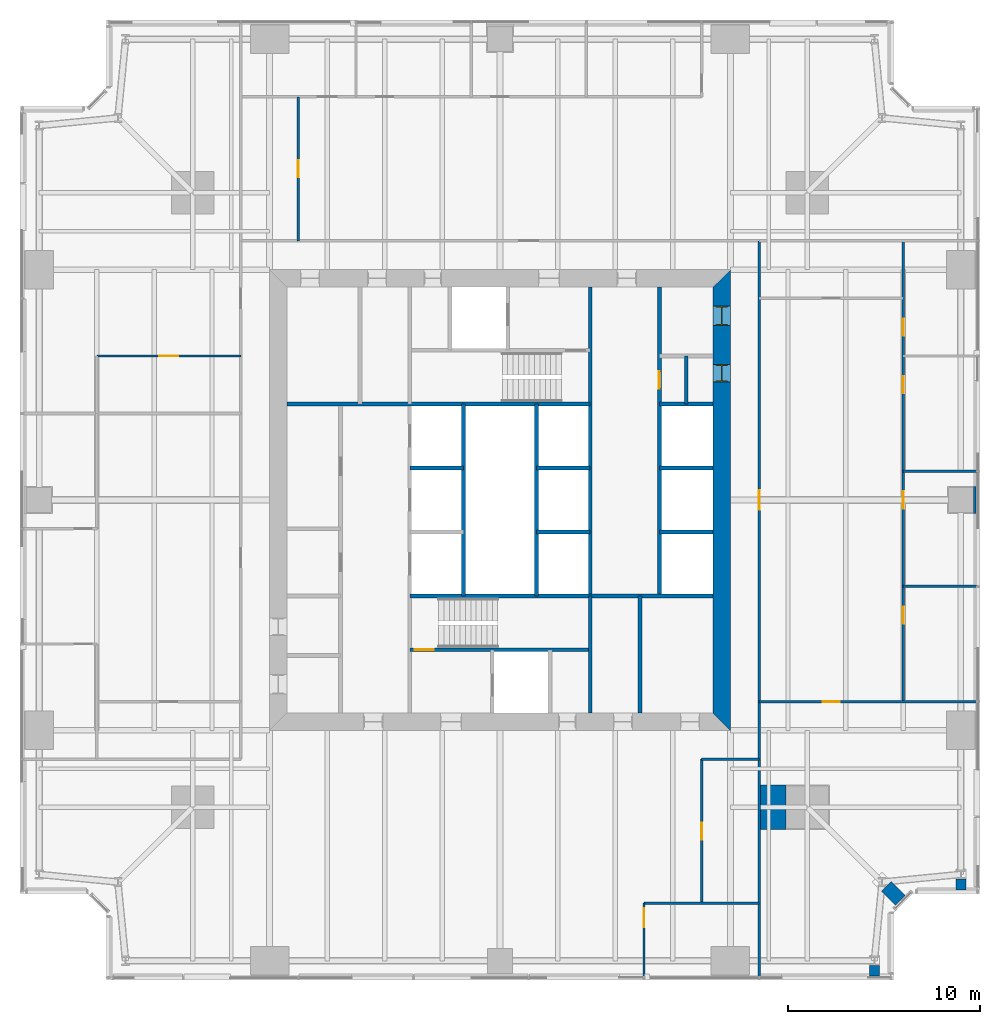
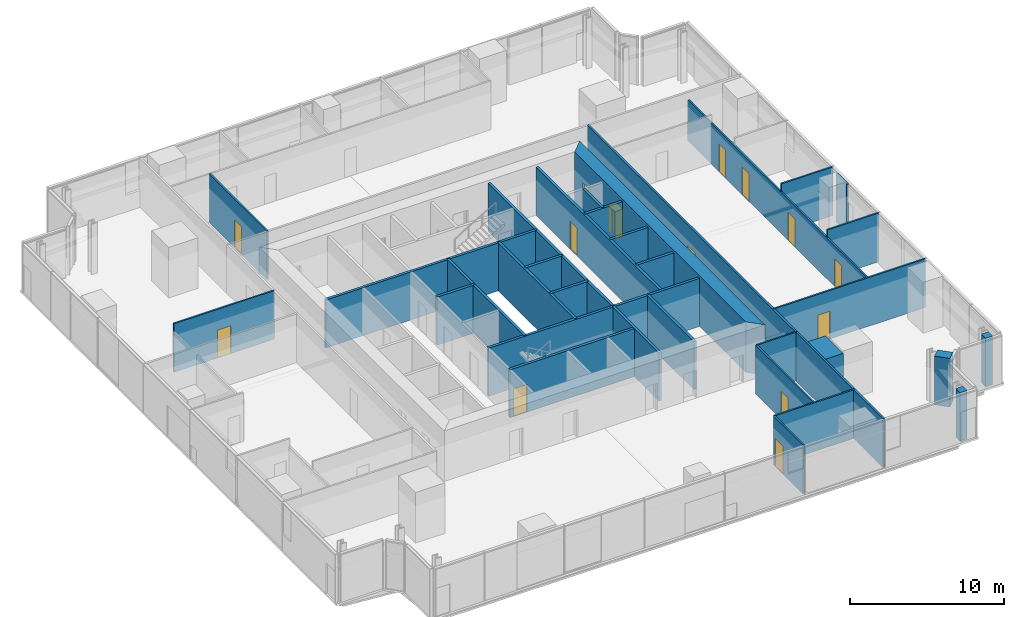
# One storey, part 10 of 13: 34 walls, 14 doors, 14 openings.
"""IFC4 building model written with IfcOpenShell, lengths in metres."""

from ifc_helpers import new_model, si_unit, direction, frame, frame_2d, origin, place, context, subcontext, project, spatial, polyline, rectangle, outline, extrude, material, layer, layer_set, type_object, element, fill, save


model = new_model("IFC4")

# Units and contexts
model_context = context("Model", 3, precision=1e-05, world=origin(), true_north=direction((0.0, 1.0)))
body_context = subcontext(model_context, "Body", "Model", "MODEL_VIEW")
ifc_project = project(units=[si_unit("LENGTHUNIT", "METRE"), si_unit("AREAUNIT", "SQUARE_METRE"), si_unit("VOLUMEUNIT", "CUBIC_METRE"), si_unit("PLANEANGLEUNIT", "RADIAN"), si_unit("MASSUNIT", "GRAM", prefix="KILO")], contexts=[model_context])

# Site, building, storey
site_placement = place(None, origin())
site = spatial("IfcSite", under=ifc_project, at=site_placement, CompositionType="ELEMENT")
building_placement = place(site_placement, origin())
building = spatial("IfcBuilding", under=site, at=building_placement, Name="Fenwick Lantern Interchange", CompositionType="ELEMENT")
storey_placement = place(building_placement, frame((0.0, 0.0, 138.39990234375)))
storey = spatial("IfcBuildingStorey", under=building, at=storey_placement, Name="L32", CompositionType="ELEMENT", Elevation=138.39990234375)

# Walls
ifc_material_1 = material(Name="Fire-rated gypsum board encasement on steel studs, 2 hour", Category="steel")
ifc_layer_1 = layer(ifc_material_1, 1.39990234375)
ifc_layer_set_1 = layer_set([ifc_layer_1], Name="COLUMN PIER 1400")
wall_type_1 = type_object("IfcWallType", Name="COLUMN PIER 1400", PredefinedType="PARTITIONING", material=ifc_layer_set_1)
wall_1_placement = place(storey_placement, frame((49.800048828125, 25.0, 0.0), z_axis=(0.0, 0.0, 1.0), x_axis=(-1.0, 0.0, 0.0)))
element("IfcWall", 1, at=wall_1_placement, inside=storey, type_object=wall_type_1, Name="L32/W/PIER/CE3", PredefinedType="PARTITIONING", context=body_context, shape_type="SweptSolid", body=[
    extrude(rectangle(XDim=0.150146484375, YDim=1.39990234375, at=frame_2d((0.0751953125, 0.0))), origin(), (0.0, 0.0, 1.0), 3.85009765625),
])
ifc_layer_2 = layer(ifc_material_1, 2.300048828125)
ifc_layer_set_2 = layer_set([ifc_layer_2], Name="COLUMN PIER 2300")
wall_type_2 = type_object("IfcWallType", Name="COLUMN PIER 2300", PredefinedType="PARTITIONING", material=ifc_layer_set_2)
wall_2_placement = place(storey_placement, frame((38.574951171875, 9.0, 0.0), z_axis=(0.0, 0.0, 1.0), x_axis=(1.0, 0.0, 0.0)))
element("IfcWall", 2, at=wall_2_placement, inside=storey, type_object=wall_type_2, Name="L32/W/PIER/M2", PredefinedType="PARTITIONING", context=body_context, shape_type="SweptSolid", body=[
    extrude(rectangle(XDim=1.324951171875, YDim=2.300048828125, at=frame_2d((0.66259765625, 0.0))), origin(), (0.0, 0.0, 1.0), 3.85009765625),
])
ifc_layer_3 = layer(ifc_material_1, 0.52392578125)
ifc_layer_set_3 = layer_set([ifc_layer_3], Name="COLUMN PIER 524")
wall_type_3 = type_object("IfcWallType", Name="COLUMN PIER 524", PredefinedType="PARTITIONING", material=ifc_layer_set_3)
for number, where, z_axis, x_axis, name in (
    (3, (44.5, 0.199951171875, 0.0), (0.0, 0.0, 1.0), (0.0, 1.0, 0.0), "L32/W/PIER/CS5"),
    (4, (49.0, 4.699951171875, 0.0), (0.0, 0.0, 1.0), (0.0, 1.0, 0.0), "L32/W/PIER/CE1"),
):
    element("IfcWall", number, at=place(storey_placement, frame(where, z_axis=z_axis, x_axis=x_axis)), inside=storey, type_object=wall_type_3, Name=name, PredefinedType="PARTITIONING", context=body_context, shape_type="SweptSolid", body=[
        extrude(rectangle(XDim=0.5625, YDim=0.52392578125, at=frame_2d((0.28125, 0.0))), origin(), (0.0, 0.0, 1.0), 3.85009765625),
    ])
ifc_layer_4 = layer(ifc_material_1, 0.736083984375)
ifc_layer_set_4 = layer_set([ifc_layer_4], Name="COLUMN PIER 736")
wall_type_4 = type_object("IfcWallType", Name="COLUMN PIER 736", PredefinedType="PARTITIONING", material=ifc_layer_set_4)
wall_3_placement = place(storey_placement, frame((45.858642578125, 4.141357421875, 0.0), z_axis=(0.0, 0.0, 1.0), x_axis=(-0.707106781187, 0.707106781187, 0.0)))
element("IfcWall", 5, at=wall_3_placement, inside=storey, type_object=wall_type_4, Name="L32/W/PIER/CSR", PredefinedType="PARTITIONING", context=body_context, shape_type="SweptSolid", body=[
    extrude(rectangle(XDim=1.037841796875, YDim=0.736083984375, at=frame_2d((0.51904296875, 0.0))), origin(), (0.0, 0.0, 1.0), 3.85009765625),
])
ifc_material_2 = material(Name="Concrete masonry ASTM C90 Grade N", Category="masonry")
ifc_layer_5 = layer(ifc_material_2, 0.199951171875)
ifc_layer_set_5 = layer_set([ifc_layer_5], Name="Concrete masonry ASTM C90 Grade N")
wall_type_5 = type_object("IfcWallType", Name="CORE PARTITION 200", PredefinedType="PARTITIONING", material=ifc_layer_set_5)
wall_4_placement = place(storey_placement, frame((20.300048828125, 26.666748046875, 0.0), z_axis=(0.0, 0.0, 1.0), x_axis=(1.0, 0.0, 0.0)))
element("IfcWall", 6, at=wall_4_placement, inside=storey, type_object=wall_type_5, Name="L32/W/CORES/e2", PredefinedType="PARTITIONING", context=body_context, shape_type="SweptSolid", body=[
    extrude(rectangle(XDim=2.800048828125, YDim=0.199951171875, at=frame_2d((1.39990234375, 0.0))), origin(), (0.0, 0.0, 1.0), 3.800048828125),
])
wall_5_placement = place(storey_placement, frame((23.10009765625, 20.0, 0.0), z_axis=(0.0, 0.0, 1.0), x_axis=(0.0, 1.0, 0.0)))
element("IfcWall", 7, at=wall_5_placement, inside=storey, type_object=wall_type_5, Name="L32/W/CORES/e3", PredefinedType="PARTITIONING", context=body_context, shape_type="SweptSolid", body=[
    extrude(rectangle(XDim=10.0, YDim=0.199951171875, at=frame_2d((5.0, 0.0))), origin(), (0.0, 0.0, 1.0), 3.800048828125),
])
wall_6_placement = place(storey_placement, frame((32.300048828125, 13.89990234375, 0.0), z_axis=(0.0, 0.0, 1.0), x_axis=(0.0, 1.0, 0.0)))
element("IfcWall", 8, at=wall_6_placement, inside=storey, type_object=wall_type_5, Name="L32/W/CORES/i2", PredefinedType="PARTITIONING", context=body_context, shape_type="SweptSolid", body=[
    extrude(rectangle(XDim=6.10009765625, YDim=0.199951171875, at=frame_2d((3.050048828125, 0.0))), origin(), (0.0, 0.0, 1.0), 3.800048828125),
])

# Wall, opening, door
wall_7_placement = place(storey_placement, frame((33.300048828125, 36.10009765625, 0.0), z_axis=(0.0, 0.0, 1.0), x_axis=(0.0, -1.0, 0.0)))
wall_7 = element("IfcWall", 9, at=wall_7_placement, inside=storey, type_object=wall_type_5, Name="L32/W/COREN/a", PredefinedType="PARTITIONING", context=body_context, shape_type="SweptSolid", body=[
    extrude(rectangle(XDim=16.10009765625, YDim=0.199951171875, at=frame_2d((8.050048828125, 0.0))), origin(), (0.0, 0.0, 1.0), 3.800048828125),
])
opening_1_placement = place(wall_7_placement, frame((4.39990234375, 0.0, 0.0)))
opening_1 = element("IfcOpeningElement", 10, at=opening_1_placement, cuts=wall_7, Name="Opening L32-D018", PredefinedType="OPENING", context=body_context, shape_type="SweptSolid", body=[
    extrude(rectangle(XDim=0.89990234375, YDim=2.199951171875, at=frame_2d((0.449951171875, 1.10009765625))), frame((0.0, 0.10986328125, 0.0), z_axis=(0.0, -1.0, 0.0), x_axis=(1.0, 0.0, 0.0)), (0.0, 0.0, 1.0), 0.219970703125),
])
ifc_material_3 = material(Name="Steel door and frame", Category="steel")
door_type_1 = type_object("IfcDoorType", Name="SERVICE DOOR 900 X 2200", OperationType="SINGLE_SWING_LEFT", PredefinedType="DOOR", material=ifc_material_3)
door_1_placement = place(opening_1_placement, origin())
door_1 = element("IfcDoor", 11, at=door_1_placement, inside=storey, type_object=door_type_1, Name="Service door", OperationType="SINGLE_SWING_LEFT", OverallHeight=2.199951171875, OverallWidth=0.89990234375, PredefinedType="DOOR", context=body_context, shape_type="SweptSolid", body=[
    extrude(rectangle(XDim=0.89990234375, YDim=2.199951171875, at=frame_2d((0.449951171875, 1.10009765625))), frame((0.0, 0.02490234375, 0.0), z_axis=(0.0, -1.0, 0.0), x_axis=(1.0, 0.0, 0.0)), (0.0, 0.0, 1.0), 0.050048828125),
])
fill(opening_1, door_1)

# Walls
for number, where, z_axis, x_axis, name in (
    (12, (36.10009765625, 30.0, 0.0), (0.0, 0.0, 1.0), (-1.0, 0.0, 0.0), "L32/W/COREN/c2"),
    (13, (36.10009765625, 26.666748046875, 0.0), (0.0, 0.0, 1.0), (-1.0, 0.0, 0.0), "L32/W/COREN/d1"),
    (14, (36.10009765625, 23.333251953125, 0.0), (0.0, 0.0, 1.0), (-1.0, 0.0, 0.0), "L32/W/COREN/d2"),
    (15, (29.699951171875, 26.666748046875, 0.0), (0.0, 0.0, 1.0), (-1.0, 0.0, 0.0), "L32/W/COREN/e1"),
    (16, (29.699951171875, 23.333251953125, 0.0), (0.0, 0.0, 1.0), (-1.0, 0.0, 0.0), "L32/W/COREN/e2"),
):
    element("IfcWall", number, at=place(storey_placement, frame(where, z_axis=z_axis, x_axis=x_axis)), inside=storey, type_object=wall_type_5, Name=name, PredefinedType="PARTITIONING", context=body_context, shape_type="SweptSolid", body=[
        extrude(rectangle(XDim=2.800048828125, YDim=0.199951171875, at=frame_2d((1.39990234375, 0.0))), origin(), (0.0, 0.0, 1.0), 3.800048828125),
    ])
wall_8_placement = place(storey_placement, frame((26.89990234375, 30.0, 0.0), z_axis=(0.0, 0.0, 1.0), x_axis=(0.0, -1.0, 0.0)))
element("IfcWall", 17, at=wall_8_placement, inside=storey, type_object=wall_type_5, Name="L32/W/COREN/e3", PredefinedType="PARTITIONING", context=body_context, shape_type="SweptSolid", body=[
    extrude(rectangle(XDim=10.0, YDim=0.199951171875, at=frame_2d((5.0, 0.0))), origin(), (0.0, 0.0, 1.0), 3.800048828125),
])
wall_9_placement = place(storey_placement, frame((34.699951171875, 32.5, 0.0), z_axis=(0.0, 0.0, 1.0), x_axis=(0.0, -1.0, 0.0)))
element("IfcWall", 18, at=wall_9_placement, inside=storey, type_object=wall_type_5, Name="L32/W/COREN/px", PredefinedType="PARTITIONING", context=body_context, shape_type="SweptSolid", body=[
    extrude(rectangle(XDim=2.5, YDim=0.199951171875, at=frame_2d((1.25, 0.0))), origin(), (0.0, 0.0, 1.0), 3.800048828125),
])

# Wall, openings, doors
ifc_material_4 = material(Name="Concrete f'c 70 MPa", Category="concrete")
ifc_layer_6 = layer(ifc_material_4, 0.89990234375)
ifc_layer_set_6 = layer_set([ifc_layer_6], Name="CORE WALL 900")
wall_type_6 = type_object("IfcWallType", Name="CORE WALL 900", PredefinedType="SHEAR", material=ifc_layer_set_6)
wall_10_placement = place(storey_placement, frame((36.550048828125, 13.89990234375, 0.0), z_axis=(0.0, 0.0, 1.0), x_axis=(0.0, 1.0, 0.0)))
wall_10 = element("IfcWall", 19, at=wall_10_placement, inside=storey, type_object=wall_type_6, Name="L32/CORE/E", PredefinedType="SHEAR", context=body_context, shape_type="SweptSolid", body=[
    extrude(outline(polyline([(-0.89990234375, -0.449951171875), (23.10009765625, -0.449951171875), (22.199951171875, 0.449951171875), (0.0, 0.449951171875), (-0.89990234375, -0.449951171875)])), origin(), (0.0, 0.0, 1.0), 4.0),
])
opening_2_placement = place(wall_10_placement, frame((20.199951171875, 0.0, 0.0)))
opening_2 = element("IfcOpeningElement", 20, at=opening_2_placement, cuts=wall_10, Name="Opening L32-D017", PredefinedType="OPENING", context=body_context, shape_type="SweptSolid", body=[
    extrude(rectangle(XDim=1.0, YDim=2.199951171875, at=frame_2d((0.5, 1.10009765625))), frame((0.0, 0.4599609375, 0.0), z_axis=(0.0, -1.0, 0.0), x_axis=(1.0, 0.0, 0.0)), (0.0, 0.0, 1.0), 0.919921875),
])
opening_3_placement = place(wall_10_placement, frame((17.25, 0.0, 0.0)))
opening_3 = element("IfcOpeningElement", 21, at=opening_3_placement, cuts=wall_10, Name="Opening L32-D019", PredefinedType="OPENING", context=body_context, shape_type="SweptSolid", body=[
    extrude(rectangle(XDim=0.89990234375, YDim=2.199951171875, at=frame_2d((0.449951171875, 1.10009765625))), frame((0.0, 0.4599609375, 0.0), z_axis=(0.0, -1.0, 0.0), x_axis=(1.0, 0.0, 0.0)), (0.0, 0.0, 1.0), 0.919921875),
])
door_2_placement = place(opening_3_placement, origin())
door_2 = element("IfcDoor", 22, at=door_2_placement, inside=storey, type_object=door_type_1, Name="Service door", OperationType="SINGLE_SWING_RIGHT", OverallHeight=2.199951171875, OverallWidth=0.89990234375, PredefinedType="DOOR", context=body_context, shape_type="SweptSolid", body=[
    extrude(rectangle(XDim=0.89990234375, YDim=2.199951171875, at=frame_2d((0.449951171875, 1.10009765625))), frame((0.0, 0.02490234375, 0.0), z_axis=(0.0, -1.0, 0.0), x_axis=(1.0, 0.0, 0.0)), (0.0, 0.0, 1.0), 0.050048828125),
    extrude(outline(polyline([(0.0, 0.0), (0.0400390625, 0.0), (0.0400390625, 2.159912109375), (0.85986328125, 2.159912109375), (0.85986328125, 0.0), (0.89990234375, 0.0), (0.89990234375, 2.199951171875), (0.0, 2.199951171875), (0.0, 0.0)])), frame((0.0, 0.300048828125, 0.0), z_axis=(0.0, -1.0, 0.0), x_axis=(1.0, 0.0, 0.0)), (0.0, 0.0, 1.0), 0.60009765625),
])
fill(opening_3, door_2)
ifc_material_5 = material(Name="Hardwood door and steel frame", Category="steel")
door_type_2 = type_object("IfcDoorType", Name="WC DOOR 1000 X 2200", OperationType="SINGLE_SWING_LEFT", PredefinedType="DOOR", material=ifc_material_5)
door_3_placement = place(opening_2_placement, origin())
door_3 = element("IfcDoor", 23, at=door_3_placement, inside=storey, type_object=door_type_2, Name="Wc door", OperationType="SINGLE_SWING_RIGHT", OverallHeight=2.199951171875, OverallWidth=1.0, PredefinedType="DOOR", context=body_context, shape_type="SweptSolid", body=[
    extrude(rectangle(XDim=1.0, YDim=2.199951171875, at=frame_2d((0.5, 1.10009765625))), frame((0.0, 0.02490234375, 0.0), z_axis=(0.0, -1.0, 0.0), x_axis=(1.0, 0.0, 0.0)), (0.0, 0.0, 1.0), 0.050048828125),
    extrude(outline(polyline([(0.0, 0.0), (0.0400390625, 0.0), (0.0400390625, 2.159912109375), (0.9599609375, 2.159912109375), (0.9599609375, 0.0), (1.0, 0.0), (1.0, 2.199951171875), (0.0, 2.199951171875), (0.0, 0.0)])), frame((0.0, 0.300048828125, 0.0), z_axis=(0.0, -1.0, 0.0), x_axis=(1.0, 0.0, 0.0)), (0.0, 0.0, 1.0), 0.60009765625),
])
fill(opening_2, door_3)

# Wall, opening, door
ifc_material_6 = material(Name="Gypsum board on steel studs, 1 hour", Category="steel")
ifc_layer_7 = layer(ifc_material_6, 0.14990234375)
ifc_layer_set_7 = layer_set([ifc_layer_7], Name="CORRIDOR WALL 150")
wall_type_7 = type_object("IfcWallType", Name="CORRIDOR WALL 150", PredefinedType="PARTITIONING", material=ifc_layer_set_7)
wall_11_placement = place(storey_placement, frame((38.5, 11.5, 0.0), z_axis=(0.0, 0.0, 1.0), x_axis=(0.0, 1.0, 0.0)))
wall_11 = element("IfcWall", 24, at=wall_11_placement, inside=storey, type_object=wall_type_7, Name="L32/W/OFF/E/CW", PredefinedType="PARTITIONING", context=body_context, shape_type="SweptSolid", body=[
    extrude(rectangle(XDim=27.0, YDim=0.14990234375, at=frame_2d((13.5, 0.0))), origin(), (0.0, 0.0, 1.0), 3.85009765625),
])
opening_4_placement = place(wall_11_placement, frame((13.0, 0.0, 0.0)))
opening_4 = element("IfcOpeningElement", 25, at=opening_4_placement, cuts=wall_11, Name="Opening L32-D022", PredefinedType="OPENING", context=body_context, shape_type="SweptSolid", body=[
    extrude(rectangle(XDim=1.0, YDim=2.199951171875, at=frame_2d((0.5, 1.10009765625))), frame((0.0, 0.0849609375, 0.0), z_axis=(0.0, -1.0, 0.0), x_axis=(1.0, 0.0, 0.0)), (0.0, 0.0, 1.0), 0.169921875),
])
door_type_3 = type_object("IfcDoorType", Name="SUITE ENTRANCE DOOR 1000 X 2200", OperationType="SINGLE_SWING_LEFT", PredefinedType="DOOR", material=ifc_material_3)
door_4_placement = place(opening_4_placement, frame((1.0, 0.0, 0.0), z_axis=(0.0, 0.0, 1.0), x_axis=(-1.0, 0.0, 0.0)))
door_4 = element("IfcDoor", 26, at=door_4_placement, inside=storey, type_object=door_type_3, Name="Suite entrance door", OperationType="SINGLE_SWING_RIGHT", OverallHeight=2.199951171875, OverallWidth=1.0, PredefinedType="DOOR", context=body_context, shape_type="SweptSolid", body=[
    extrude(rectangle(XDim=1.0, YDim=2.199951171875, at=frame_2d((0.5, 1.10009765625))), frame((0.0, 0.02490234375, 0.0), z_axis=(0.0, -1.0, 0.0), x_axis=(1.0, 0.0, 0.0)), (0.0, 0.0, 1.0), 0.050048828125),
])
fill(opening_4, door_4)

ifc_material_7 = material(Name="Gypsum board on steel studs, acoustic", Category="steel")
ifc_layer_8 = layer(ifc_material_7, 0.125)
ifc_layer_set_8 = layer_set([ifc_layer_8], Name="OFFICE PARTITION 125")
wall_type_8 = type_object("IfcWallType", Name="OFFICE PARTITION 125", PredefinedType="PARTITIONING", material=ifc_layer_set_8)
wall_12_placement = place(storey_placement, frame((32.5, 0.14990234375, 0.0), z_axis=(0.0, 0.0, 1.0), x_axis=(0.0, 1.0, 0.0)))
wall_12 = element("IfcWall", 27, at=wall_12_placement, inside=storey, type_object=wall_type_8, Name="L32/W/OFF/S/X325-1", PredefinedType="PARTITIONING", context=body_context, shape_type="SweptSolid", body=[
    extrude(rectangle(XDim=3.85009765625, YDim=0.125, at=frame_2d((1.925048828125, 0.0))), origin(), (0.0, 0.0, 1.0), 3.85009765625),
])
opening_5_placement = place(wall_12_placement, frame((2.60009765625, 0.0, 0.0)))
opening_5 = element("IfcOpeningElement", 28, at=opening_5_placement, cuts=wall_12, Name="Opening L32-D020", PredefinedType="OPENING", context=body_context, shape_type="SweptSolid", body=[
    extrude(rectangle(XDim=1.0, YDim=2.199951171875, at=frame_2d((0.5, 1.10009765625))), frame((0.0, 0.072509765625, 0.0), z_axis=(0.0, -1.0, 0.0), x_axis=(1.0, 0.0, 0.0)), (0.0, 0.0, 1.0), 0.14501953125),
])
door_type_4 = type_object("IfcDoorType", Name="MEETING ROOM DOOR 1000 X 2200", OperationType="SINGLE_SWING_LEFT", PredefinedType="DOOR", material=ifc_material_5)
door_5_placement = place(opening_5_placement, frame((1.0, 0.0, 0.0), z_axis=(0.0, 0.0, 1.0), x_axis=(-1.0, 0.0, 0.0)))
door_5 = element("IfcDoor", 29, at=door_5_placement, inside=storey, type_object=door_type_4, Name="Meeting room door", OperationType="SINGLE_SWING_LEFT", OverallHeight=2.199951171875, OverallWidth=1.0, PredefinedType="DOOR", context=body_context, shape_type="SweptSolid", body=[
    extrude(rectangle(XDim=1.0, YDim=2.199951171875, at=frame_2d((0.5, 1.10009765625))), frame((0.0, 0.02490234375, 0.0), z_axis=(0.0, -1.0, 0.0), x_axis=(1.0, 0.0, 0.0)), (0.0, 0.0, 1.0), 0.050048828125),
])
fill(opening_5, door_5)

wall_13_placement = place(storey_placement, frame((35.5, 4.0, 0.0), z_axis=(0.0, 0.0, 1.0), x_axis=(0.0, 1.0, 0.0)))
wall_13 = element("IfcWall", 30, at=wall_13_placement, inside=storey, type_object=wall_type_8, Name="L32/W/OFF/S/X355-1", PredefinedType="PARTITIONING", context=body_context, shape_type="SweptSolid", body=[
    extrude(rectangle(XDim=7.5, YDim=0.125, at=frame_2d((3.75, 0.0))), origin(), (0.0, 0.0, 1.0), 3.85009765625),
])
opening_6_placement = place(wall_13_placement, frame((3.300048828125, 0.0, 0.0)))
opening_6 = element("IfcOpeningElement", 31, at=opening_6_placement, cuts=wall_13, Name="Opening L32-D021", PredefinedType="OPENING", context=body_context, shape_type="SweptSolid", body=[
    extrude(rectangle(XDim=0.89990234375, YDim=2.199951171875, at=frame_2d((0.449951171875, 1.10009765625))), frame((0.0, 0.072509765625, 0.0), z_axis=(0.0, -1.0, 0.0), x_axis=(1.0, 0.0, 0.0)), (0.0, 0.0, 1.0), 0.14501953125),
])
door_type_5 = type_object("IfcDoorType", Name="OFFICE DOOR 900 X 2200", OperationType="SINGLE_SWING_LEFT", PredefinedType="DOOR", material=ifc_material_5)
door_6_placement = place(opening_6_placement, frame((0.89990234375, 0.0, 0.0), z_axis=(0.0, 0.0, 1.0), x_axis=(-1.0, 0.0, 0.0)))
door_6 = element("IfcDoor", 32, at=door_6_placement, inside=storey, type_object=door_type_5, Name="Office door", OperationType="SINGLE_SWING_RIGHT", OverallHeight=2.199951171875, OverallWidth=0.89990234375, PredefinedType="DOOR", context=body_context, shape_type="SweptSolid", body=[
    extrude(rectangle(XDim=0.89990234375, YDim=2.199951171875, at=frame_2d((0.449951171875, 1.10009765625))), frame((0.0, 0.02490234375, 0.0), z_axis=(0.0, -1.0, 0.0), x_axis=(1.0, 0.0, 0.0)), (0.0, 0.0, 1.0), 0.050048828125),
])
fill(opening_6, door_6)

# Walls
wall_14_placement = place(storey_placement, frame((32.5, 4.0, 0.0), z_axis=(0.0, 0.0, 1.0), x_axis=(1.0, 0.0, 0.0)))
element("IfcWall", 33, at=wall_14_placement, inside=storey, type_object=wall_type_8, Name="L32/W/OFF/S/Y40-1", PredefinedType="PARTITIONING", context=body_context, shape_type="SweptSolid", body=[
    extrude(rectangle(XDim=6.0, YDim=0.125, at=frame_2d((3.0, 0.0))), origin(), (0.0, 0.0, 1.0), 3.85009765625),
])
wall_15_placement = place(storey_placement, frame((35.5, 11.5, 0.0), z_axis=(0.0, 0.0, 1.0), x_axis=(1.0, 0.0, 0.0)))
element("IfcWall", 34, at=wall_15_placement, inside=storey, type_object=wall_type_8, Name="L32/W/OFF/S/CWS1", PredefinedType="PARTITIONING", context=body_context, shape_type="SweptSolid", body=[
    extrude(rectangle(XDim=3.0, YDim=0.125, at=frame_2d((1.5, 0.0))), origin(), (0.0, 0.0, 1.0), 3.85009765625),
])

# Wall, opening, door
wall_16_placement = place(storey_placement, frame((49.85009765625, 14.5, 0.0), z_axis=(0.0, 0.0, 1.0), x_axis=(-1.0, 0.0, 0.0)))
wall_16 = element("IfcWall", 35, at=wall_16_placement, inside=storey, type_object=wall_type_8, Name="L32/W/OFF/E/X145-1", PredefinedType="PARTITIONING", context=body_context, shape_type="SweptSolid", body=[
    extrude(rectangle(XDim=11.35009765625, YDim=0.125, at=frame_2d((5.675048828125, 0.0))), origin(), (0.0, 0.0, 1.0), 3.85009765625),
])
opening_7_placement = place(wall_16_placement, frame((7.14990234375, 0.0, 0.0)))
opening_7 = element("IfcOpeningElement", 36, at=opening_7_placement, cuts=wall_16, Name="Opening L32-D023", PredefinedType="OPENING", context=body_context, shape_type="SweptSolid", body=[
    extrude(rectangle(XDim=0.89990234375, YDim=2.199951171875, at=frame_2d((0.449951171875, 1.10009765625))), frame((0.0, 0.072509765625, 0.0), z_axis=(0.0, -1.0, 0.0), x_axis=(1.0, 0.0, 0.0)), (0.0, 0.0, 1.0), 0.14501953125),
])
door_7_placement = place(opening_7_placement, origin())
door_7 = element("IfcDoor", 37, at=door_7_placement, inside=storey, type_object=door_type_5, Name="Office door", OperationType="SINGLE_SWING_RIGHT", OverallHeight=2.199951171875, OverallWidth=0.89990234375, PredefinedType="DOOR", context=body_context, shape_type="SweptSolid", body=[
    extrude(rectangle(XDim=0.89990234375, YDim=2.199951171875, at=frame_2d((0.449951171875, 1.10009765625))), frame((0.0, 0.02490234375, 0.0), z_axis=(0.0, -1.0, 0.0), x_axis=(1.0, 0.0, 0.0)), (0.0, 0.0, 1.0), 0.050048828125),
])
fill(opening_7, door_7)

# Walls
for number, where, z_axis, x_axis, name in (
    (38, (49.85009765625, 20.5, 0.0), (0.0, 0.0, 1.0), (-1.0, 0.0, 0.0), "L32/W/OFF/E/X205-1"),
    (39, (49.85009765625, 26.5, 0.0), (0.0, 0.0, 1.0), (-1.0, 0.0, 0.0), "L32/W/OFF/E/X265-1"),
):
    element("IfcWall", number, at=place(storey_placement, frame(where, z_axis=z_axis, x_axis=x_axis)), inside=storey, type_object=wall_type_8, Name=name, PredefinedType="PARTITIONING", context=body_context, shape_type="SweptSolid", body=[
        extrude(rectangle(XDim=3.85009765625, YDim=0.125, at=frame_2d((1.925048828125, 0.0))), origin(), (0.0, 0.0, 1.0), 3.85009765625),
    ])

# Wall, openings, doors
wall_17_placement = place(storey_placement, frame((46.0, 14.5, 0.0), z_axis=(0.0, 0.0, 1.0), x_axis=(0.0, 1.0, 0.0)))
wall_17 = element("IfcWall", 40, at=wall_17_placement, inside=storey, type_object=wall_type_8, Name="L32/W/OFF/E/Y40-1", PredefinedType="PARTITIONING", context=body_context, shape_type="SweptSolid", body=[
    extrude(rectangle(XDim=24.0, YDim=0.125, at=frame_2d((12.0, 0.0))), origin(), (0.0, 0.0, 1.0), 3.238037109375),
])
opening_8_placement = place(wall_17_placement, frame((4.050048828125, 0.0, 0.0)))
opening_8 = element("IfcOpeningElement", 41, at=opening_8_placement, cuts=wall_17, Name="Opening L32-D024", PredefinedType="OPENING", context=body_context, shape_type="SweptSolid", body=[
    extrude(rectangle(XDim=0.89990234375, YDim=2.199951171875, at=frame_2d((0.449951171875, 1.10009765625))), frame((0.0, 0.072509765625, 0.0), z_axis=(0.0, -1.0, 0.0), x_axis=(1.0, 0.0, 0.0)), (0.0, 0.0, 1.0), 0.14501953125),
])
opening_9_placement = place(wall_17_placement, frame((10.050048828125, 0.0, 0.0)))
opening_9 = element("IfcOpeningElement", 42, at=opening_9_placement, cuts=wall_17, Name="Opening L32-D025", PredefinedType="OPENING", context=body_context, shape_type="SweptSolid", body=[
    extrude(rectangle(XDim=0.89990234375, YDim=2.199951171875, at=frame_2d((0.449951171875, 1.10009765625))), frame((0.0, 0.072509765625, 0.0), z_axis=(0.0, -1.0, 0.0), x_axis=(1.0, 0.0, 0.0)), (0.0, 0.0, 1.0), 0.14501953125),
])
opening_10_placement = place(wall_17_placement, frame((16.050048828125, 0.0, 0.0)))
opening_10 = element("IfcOpeningElement", 43, at=opening_10_placement, cuts=wall_17, Name="Opening L32-D026", PredefinedType="OPENING", context=body_context, shape_type="SweptSolid", body=[
    extrude(rectangle(XDim=0.89990234375, YDim=2.199951171875, at=frame_2d((0.449951171875, 1.10009765625))), frame((0.0, 0.072509765625, 0.0), z_axis=(0.0, -1.0, 0.0), x_axis=(1.0, 0.0, 0.0)), (0.0, 0.0, 1.0), 0.14501953125),
])
opening_11_placement = place(wall_17_placement, frame((19.050048828125, 0.0, 0.0)))
opening_11 = element("IfcOpeningElement", 44, at=opening_11_placement, cuts=wall_17, Name="Opening L32-D027", PredefinedType="OPENING", context=body_context, shape_type="SweptSolid", body=[
    extrude(rectangle(XDim=0.89990234375, YDim=2.199951171875, at=frame_2d((0.449951171875, 1.10009765625))), frame((0.0, 0.072509765625, 0.0), z_axis=(0.0, -1.0, 0.0), x_axis=(1.0, 0.0, 0.0)), (0.0, 0.0, 1.0), 0.14501953125),
])
door_8_placement = place(opening_8_placement, frame((0.89990234375, 0.0, 0.0), z_axis=(0.0, 0.0, 1.0), x_axis=(-1.0, 0.0, 0.0)))
door_8 = element("IfcDoor", 45, at=door_8_placement, inside=storey, type_object=door_type_5, Name="Office door", OperationType="SINGLE_SWING_LEFT", OverallHeight=2.199951171875, OverallWidth=0.89990234375, PredefinedType="DOOR", context=body_context, shape_type="SweptSolid", body=[
    extrude(rectangle(XDim=0.89990234375, YDim=2.199951171875, at=frame_2d((0.449951171875, 1.10009765625))), frame((0.0, 0.02490234375, 0.0), z_axis=(0.0, -1.0, 0.0), x_axis=(1.0, 0.0, 0.0)), (0.0, 0.0, 1.0), 0.050048828125),
])
fill(opening_8, door_8)
door_9_placement = place(opening_9_placement, frame((0.89990234375, 0.0, 0.0), z_axis=(0.0, 0.0, 1.0), x_axis=(-1.0, 0.0, 0.0)))
door_9 = element("IfcDoor", 46, at=door_9_placement, inside=storey, type_object=door_type_5, Name="Office door", OperationType="SINGLE_SWING_LEFT", OverallHeight=2.199951171875, OverallWidth=0.89990234375, PredefinedType="DOOR", context=body_context, shape_type="SweptSolid", body=[
    extrude(rectangle(XDim=0.89990234375, YDim=2.199951171875, at=frame_2d((0.449951171875, 1.10009765625))), frame((0.0, 0.02490234375, 0.0), z_axis=(0.0, -1.0, 0.0), x_axis=(1.0, 0.0, 0.0)), (0.0, 0.0, 1.0), 0.050048828125),
])
fill(opening_9, door_9)
door_10_placement = place(opening_10_placement, frame((0.89990234375, 0.0, 0.0), z_axis=(0.0, 0.0, 1.0), x_axis=(-1.0, 0.0, 0.0)))
door_10 = element("IfcDoor", 47, at=door_10_placement, inside=storey, type_object=door_type_5, Name="Office door", OperationType="SINGLE_SWING_LEFT", OverallHeight=2.199951171875, OverallWidth=0.89990234375, PredefinedType="DOOR", context=body_context, shape_type="SweptSolid", body=[
    extrude(rectangle(XDim=0.89990234375, YDim=2.199951171875, at=frame_2d((0.449951171875, 1.10009765625))), frame((0.0, 0.02490234375, 0.0), z_axis=(0.0, -1.0, 0.0), x_axis=(1.0, 0.0, 0.0)), (0.0, 0.0, 1.0), 0.050048828125),
])
fill(opening_10, door_10)
door_11_placement = place(opening_11_placement, frame((0.89990234375, 0.0, 0.0), z_axis=(0.0, 0.0, 1.0), x_axis=(-1.0, 0.0, 0.0)))
door_11 = element("IfcDoor", 48, at=door_11_placement, inside=storey, type_object=door_type_5, Name="Office door", OperationType="SINGLE_SWING_RIGHT", OverallHeight=2.199951171875, OverallWidth=0.89990234375, PredefinedType="DOOR", context=body_context, shape_type="SweptSolid", body=[
    extrude(rectangle(XDim=0.89990234375, YDim=2.199951171875, at=frame_2d((0.449951171875, 1.10009765625))), frame((0.0, 0.02490234375, 0.0), z_axis=(0.0, -1.0, 0.0), x_axis=(1.0, 0.0, 0.0)), (0.0, 0.0, 1.0), 0.050048828125),
])
fill(opening_11, door_11)

# Wall, opening, door
wall_18_placement = place(storey_placement, frame((14.5, 46.0, 0.0), z_axis=(0.0, 0.0, 1.0), x_axis=(0.0, -1.0, 0.0)))
wall_18 = element("IfcWall", 49, at=wall_18_placement, inside=storey, type_object=wall_type_8, Name="L32/W/OFF/N/X355-1", PredefinedType="PARTITIONING", context=body_context, shape_type="SweptSolid", body=[
    extrude(rectangle(XDim=7.5, YDim=0.125, at=frame_2d((3.75, 0.0))), origin(), (0.0, 0.0, 1.0), 3.85009765625),
])
opening_12_placement = place(wall_18_placement, frame((3.300048828125, 0.0, 0.0)))
opening_12 = element("IfcOpeningElement", 50, at=opening_12_placement, cuts=wall_18, Name="Opening L32-D034", PredefinedType="OPENING", context=body_context, shape_type="SweptSolid", body=[
    extrude(rectangle(XDim=0.89990234375, YDim=2.199951171875, at=frame_2d((0.449951171875, 1.10009765625))), frame((0.0, 0.072509765625, 0.0), z_axis=(0.0, -1.0, 0.0), x_axis=(1.0, 0.0, 0.0)), (0.0, 0.0, 1.0), 0.14501953125),
])
door_12_placement = place(opening_12_placement, frame((0.89990234375, 0.0, 0.0), z_axis=(0.0, 0.0, 1.0), x_axis=(-1.0, 0.0, 0.0)))
door_12 = element("IfcDoor", 51, at=door_12_placement, inside=storey, type_object=door_type_5, Name="Office door", OperationType="SINGLE_SWING_RIGHT", OverallHeight=2.199951171875, OverallWidth=0.89990234375, PredefinedType="DOOR", context=body_context, shape_type="SweptSolid", body=[
    extrude(rectangle(XDim=0.89990234375, YDim=2.199951171875, at=frame_2d((0.449951171875, 1.10009765625))), frame((0.0, 0.02490234375, 0.0), z_axis=(0.0, -1.0, 0.0), x_axis=(1.0, 0.0, 0.0)), (0.0, 0.0, 1.0), 0.050048828125),
])
fill(opening_12, door_12)

wall_19_placement = place(storey_placement, frame((4.0, 32.5, 0.0), z_axis=(0.0, 0.0, 1.0), x_axis=(1.0, 0.0, 0.0)))
wall_19 = element("IfcWall", 52, at=wall_19_placement, inside=storey, type_object=wall_type_8, Name="L32/W/OFF/W/X175-1", PredefinedType="PARTITIONING", context=body_context, shape_type="SweptSolid", body=[
    extrude(rectangle(XDim=7.5, YDim=0.125, at=frame_2d((3.75, 0.0))), origin(), (0.0, 0.0, 1.0), 3.85009765625),
])
opening_13_placement = place(wall_19_placement, frame((3.25, 0.0, 0.0)))
opening_13 = element("IfcOpeningElement", 53, at=opening_13_placement, cuts=wall_19, Name="Opening L32-D036", PredefinedType="OPENING", context=body_context, shape_type="SweptSolid", body=[
    extrude(rectangle(XDim=1.0, YDim=2.199951171875, at=frame_2d((0.5, 1.10009765625))), frame((0.0, 0.072509765625, 0.0), z_axis=(0.0, -1.0, 0.0), x_axis=(1.0, 0.0, 0.0)), (0.0, 0.0, 1.0), 0.14501953125),
])
door_13_placement = place(opening_13_placement, frame((1.0, 0.0, 0.0), z_axis=(0.0, 0.0, 1.0), x_axis=(-1.0, 0.0, 0.0)))
door_13 = element("IfcDoor", 54, at=door_13_placement, inside=storey, type_object=door_type_4, Name="Meeting room door", OperationType="SINGLE_SWING_RIGHT", OverallHeight=2.199951171875, OverallWidth=1.0, PredefinedType="DOOR", context=body_context, shape_type="SweptSolid", body=[
    extrude(rectangle(XDim=1.0, YDim=2.199951171875, at=frame_2d((0.5, 1.10009765625))), frame((0.0, 0.02490234375, 0.0), z_axis=(0.0, -1.0, 0.0), x_axis=(1.0, 0.0, 0.0)), (0.0, 0.0, 1.0), 0.050048828125),
])
fill(opening_13, door_13)

ifc_material_8 = material(Name="Concrete f'c 45 MPa", Category="concrete")
ifc_layer_9 = layer(ifc_material_8, 0.199951171875)
ifc_layer_set_9 = layer_set([ifc_layer_9], Name="STAIR CORE WALL 200")
wall_type_9 = type_object("IfcWallType", Name="STAIR CORE WALL 200", PredefinedType="SOLIDWALL", material=ifc_layer_set_9)
wall_20_placement = place(storey_placement, frame((20.300048828125, 17.199951171875, 0.0), z_axis=(0.0, 0.0, 1.0), x_axis=(1.0, 0.0, 0.0)))
wall_20 = element("IfcWall", 55, at=wall_20_placement, inside=storey, type_object=wall_type_9, Name="L32/W/CORES/g1", PredefinedType="SOLIDWALL", context=body_context, shape_type="SweptSolid", body=[
    extrude(rectangle(XDim=9.39990234375, YDim=0.199951171875, at=frame_2d((4.699951171875, 0.0))), origin(), (0.0, 0.0, 1.0), 3.800048828125),
])
opening_14_placement = place(wall_20_placement, frame((0.25, 0.0, 0.0)))
opening_14 = element("IfcOpeningElement", 56, at=opening_14_placement, cuts=wall_20, Name="Opening L32-D003", PredefinedType="OPENING", context=body_context, shape_type="SweptSolid", body=[
    extrude(rectangle(XDim=1.0, YDim=2.199951171875, at=frame_2d((0.5, 1.10009765625))), frame((0.0, 0.10986328125, 0.0), z_axis=(0.0, -1.0, 0.0), x_axis=(1.0, 0.0, 0.0)), (0.0, 0.0, 1.0), 0.219970703125),
])
door_type_6 = type_object("IfcDoorType", Name="STAIR DOOR 1000 X 2200", OperationType="SINGLE_SWING_LEFT", PredefinedType="DOOR", material=ifc_material_3)
door_14_placement = place(opening_14_placement, origin())
door_14 = element("IfcDoor", 57, at=door_14_placement, inside=storey, type_object=door_type_6, Name="Stair door", OperationType="SINGLE_SWING_LEFT", OverallHeight=2.199951171875, OverallWidth=1.0, PredefinedType="DOOR", context=body_context, shape_type="SweptSolid", body=[
    extrude(rectangle(XDim=1.0, YDim=2.199951171875, at=frame_2d((0.5, 1.10009765625))), frame((0.0, 0.02490234375, 0.0), z_axis=(0.0, -1.0, 0.0), x_axis=(1.0, 0.0, 0.0)), (0.0, 0.0, 1.0), 0.050048828125),
])
fill(opening_14, door_14)

# Walls
wall_21_placement = place(storey_placement, frame((20.300048828125, 20.0, 0.0), z_axis=(0.0, 0.0, 1.0), x_axis=(1.0, 0.0, 0.0)))
element("IfcWall", 58, at=wall_21_placement, inside=storey, type_object=wall_type_9, Name="L32/W/CORES/g2", PredefinedType="SOLIDWALL", context=body_context, shape_type="SweptSolid", body=[
    extrude(rectangle(XDim=15.800048828125, YDim=0.199951171875, at=frame_2d((7.89990234375, 0.0))), origin(), (0.0, 0.0, 1.0), 3.800048828125),
])
wall_22_placement = place(storey_placement, frame((29.699951171875, 13.89990234375, 0.0), z_axis=(0.0, 0.0, 1.0), x_axis=(0.0, 1.0, 0.0)))
element("IfcWall", 59, at=wall_22_placement, inside=storey, type_object=wall_type_9, Name="L32/W/CORES/i1", PredefinedType="SOLIDWALL", context=body_context, shape_type="SweptSolid", body=[
    extrude(rectangle(XDim=6.10009765625, YDim=0.199951171875, at=frame_2d((3.050048828125, 0.0))), origin(), (0.0, 0.0, 1.0), 3.800048828125),
])
wall_23_placement = place(storey_placement, frame((29.699951171875, 36.10009765625, 0.0), z_axis=(0.0, 0.0, 1.0), x_axis=(0.0, -1.0, 0.0)))
element("IfcWall", 60, at=wall_23_placement, inside=storey, type_object=wall_type_9, Name="L32/W/COREN/b", PredefinedType="SOLIDWALL", context=body_context, shape_type="SweptSolid", body=[
    extrude(rectangle(XDim=16.10009765625, YDim=0.199951171875, at=frame_2d((8.050048828125, 0.0))), origin(), (0.0, 0.0, 1.0), 3.800048828125),
])
wall_24_placement = place(storey_placement, frame((29.699951171875, 30.0, 0.0), z_axis=(0.0, 0.0, 1.0), x_axis=(-1.0, 0.0, 0.0)))
element("IfcWall", 61, at=wall_24_placement, inside=storey, type_object=wall_type_9, Name="L32/W/COREN/g2", PredefinedType="SOLIDWALL", context=body_context, shape_type="SweptSolid", body=[
    extrude(rectangle(XDim=15.800048828125, YDim=0.199951171875, at=frame_2d((7.89990234375, 0.0))), origin(), (0.0, 0.0, 1.0), 3.800048828125),
])
ifc_material_9 = material(Name="Gypsum board on steel studs, 1 hour acoustic", Category="steel")
ifc_layer_10 = layer(ifc_material_9, 0.14990234375)
ifc_layer_set_10 = layer_set([ifc_layer_10], Name="TENANT WALL 150")
wall_type_10 = type_object("IfcWallType", Name="TENANT WALL 150", PredefinedType="PARTITIONING", material=ifc_layer_set_10)
wall_25_placement = place(storey_placement, frame((38.5, 0.14990234375, 0.0), z_axis=(0.0, 0.0, 1.0), x_axis=(0.0, 1.0, 0.0)))
element("IfcWall", 62, at=wall_25_placement, inside=storey, type_object=wall_type_10, Name="L32/W/OFF/E/BACK", PredefinedType="PARTITIONING", context=body_context, shape_type="SweptSolid", body=[
    extrude(rectangle(XDim=11.35009765625, YDim=0.14990234375, at=frame_2d((5.675048828125, 0.0))), origin(), (0.0, 0.0, 1.0), 3.85009765625),
])

save(model, "model.ifc")
